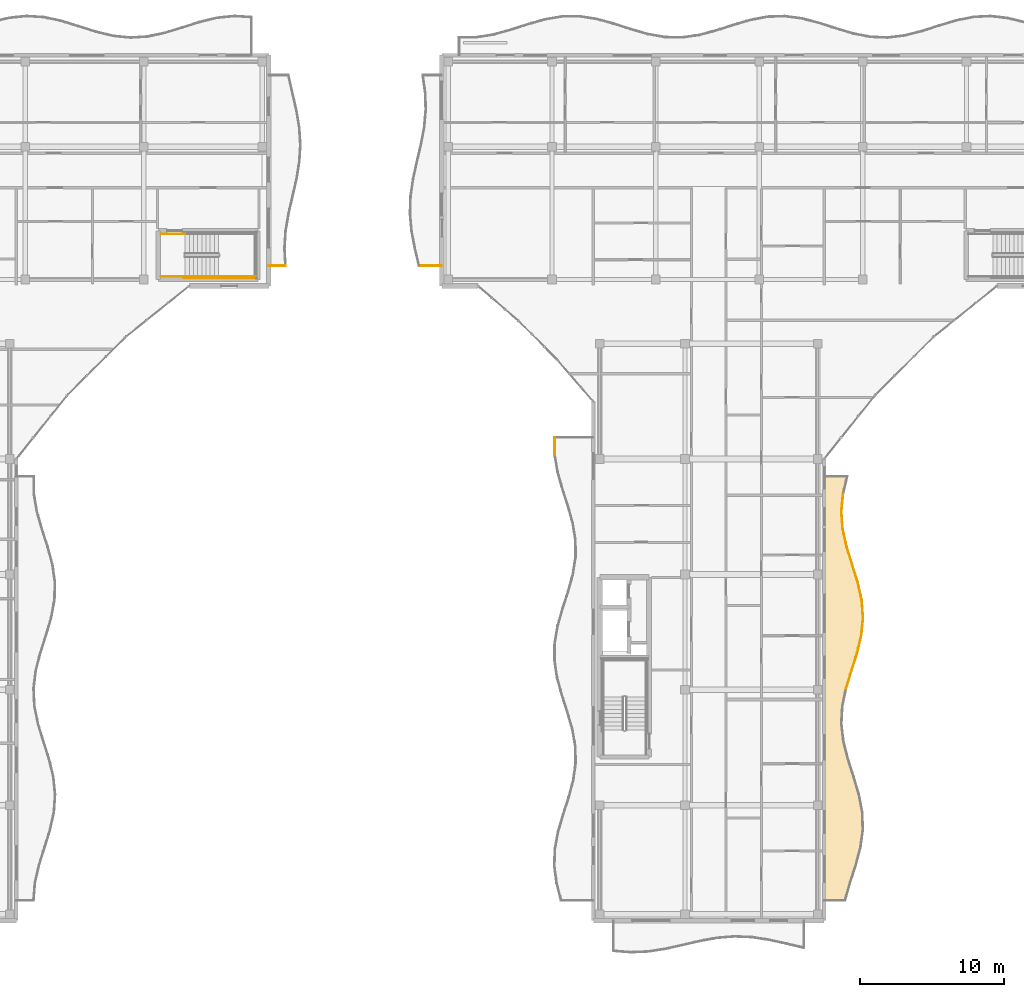
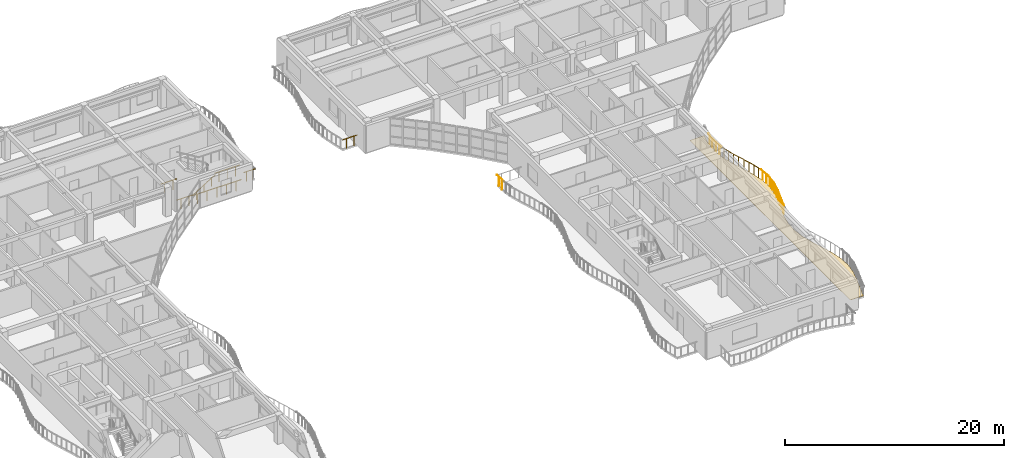
# One storey, part 61 of 72: 19 railings, 1 covering.
"""IFC4 building model written with IfcOpenShell, lengths in metres."""

from ifc_helpers import new_model, si_unit, direction, frame, origin, origin_2d, place, context, subcontext, project, spatial, polyline, circle, outline, extrude, material, layer, layer_set, type_object, element, save


model = new_model("IFC4")

# Units and contexts
model_context = context("Model", 3, precision=1e-05, world=origin(), true_north=direction((0.0, 1.0)))
body_context = subcontext(model_context, "Body", "Model", "MODEL_VIEW")
ifc_project = project(units=[si_unit("LENGTHUNIT", "METRE"), si_unit("AREAUNIT", "SQUARE_METRE"), si_unit("VOLUMEUNIT", "CUBIC_METRE"), si_unit("PLANEANGLEUNIT", "RADIAN"), si_unit("MASSUNIT", "GRAM", prefix="KILO")], contexts=[model_context])

# Site, building, storey
site_placement = place(None, origin())
site = spatial("IfcSite", under=ifc_project, at=site_placement, CompositionType="ELEMENT")
building_placement = place(site_placement, origin())
building = spatial("IfcBuilding", under=site, at=building_placement, Name="Keldmere Railside Commons", CompositionType="ELEMENT")
storey_placement = place(building_placement, frame((0.0, 0.0, 16.9599609375)))
storey = spatial("IfcBuildingStorey", under=building, at=storey_placement, Name="L05", CompositionType="ELEMENT", Elevation=16.9599609375)

# Railings
ifc_material_1 = material(Name="Steel F-24 (S235)", Category="steel")
railing_type_1 = type_object("IfcRailingType", Name="Balcony & Terrace Steel Balustrade 1100", PredefinedType="BALUSTRADE", material=ifc_material_1)
railing_1_placement = place(storey_placement, frame((81.5, 101.39990234375, 0.0)))
element("IfcRailing", 1, at=railing_1_placement, inside=storey, type_object=railing_type_1, Name="GR-1 GRD-L05-1396", PredefinedType="BALUSTRADE", context=body_context, shape_type="SweptSolid", body=[
    extrude(circle(Radius=0.02392578125, at=origin_2d()), frame((0.0, 0.0, 1.076171875), z_axis=(1.0, 0.0, 0.0), x_axis=(0.0, 1.0, 0.0)), (0.0, 0.0, 1.0), 1.170654296875),
    extrude(circle(Radius=0.02099609375, at=origin_2d()), frame((0.292724609375, 0.0, 0.0)), (0.0, 0.0, 1.0), 1.048095703125),
    extrude(circle(Radius=0.02099609375, at=origin_2d()), frame((0.8779296875, 0.0, 0.0)), (0.0, 0.0, 1.0), 1.048095703125),
])
railing_2_placement = place(storey_placement, frame((121.525146484375, 72.10009765625, 0.0)))
element("IfcRailing", 2, at=railing_2_placement, inside=storey, type_object=railing_type_1, Name="GR-1 GRD-L05-2418", PredefinedType="BALUSTRADE", context=body_context, shape_type="SweptSolid", body=[
    extrude(circle(Radius=0.02392578125, at=origin_2d()), frame((0.0, 0.0, 1.076171875), z_axis=(0.292049020088, 0.956403351032, 0.0), x_axis=(-0.956403351032, 0.292049020088, 0.0)), (0.0, 0.0, 1.0), 1.28076171875),
    extrude(circle(Radius=0.02099609375, at=origin_2d()), frame((0.093505859375, 0.30615234375, 0.0)), (0.0, 0.0, 1.0), 1.048095703125),
    extrude(circle(Radius=0.02099609375, at=origin_2d()), frame((0.280517578125, 0.918701171875, 0.0)), (0.0, 0.0, 1.0), 1.048095703125),
])
railing_3_placement = place(storey_placement, frame((121.899169921875, 73.324951171875, 0.0)))
element("IfcRailing", 3, at=railing_3_placement, inside=storey, type_object=railing_type_1, Name="GR-1 GRD-L05-2419", PredefinedType="BALUSTRADE", context=body_context, shape_type="SweptSolid", body=[
    extrude(circle(Radius=0.02392578125, at=origin_2d()), frame((0.0, 0.0, 1.076171875), z_axis=(0.302231230731, 0.953234642242, 0.0), x_axis=(-0.953234642242, 0.302231230731, 0.0)), (0.0, 0.0, 1.0), 1.28515625),
    extrude(circle(Radius=0.02099609375, at=origin_2d()), frame((0.09716796875, 0.30615234375, 0.0)), (0.0, 0.0, 1.0), 1.048095703125),
    extrude(circle(Radius=0.02099609375, at=origin_2d()), frame((0.291259765625, 0.9189453125, 0.0)), (0.0, 0.0, 1.0), 1.048095703125),
])
railing_4_placement = place(storey_placement, frame((122.28759765625, 74.550048828125, 0.0)))
element("IfcRailing", 4, at=railing_4_placement, inside=storey, type_object=railing_type_1, Name="GR-1 GRD-L05-2420", PredefinedType="BALUSTRADE", context=body_context, shape_type="SweptSolid", body=[
    extrude(circle(Radius=0.02392578125, at=origin_2d()), frame((0.0, 0.0, 1.076171875), z_axis=(0.233358291391, 0.972390820524, 0.0), x_axis=(-0.972390820524, 0.233358291391, 0.0)), (0.0, 0.0, 1.0), 1.259521484375),
    extrude(circle(Radius=0.02099609375, at=origin_2d()), frame((0.073486328125, 0.30615234375, 0.0)), (0.0, 0.0, 1.0), 1.048095703125),
    extrude(circle(Radius=0.02099609375, at=origin_2d()), frame((0.220458984375, 0.918701171875, 0.0)), (0.0, 0.0, 1.0), 1.048095703125),
])
railing_5_placement = place(storey_placement, frame((122.58154296875, 75.77490234375, 0.0)))
element("IfcRailing", 5, at=railing_5_placement, inside=storey, type_object=railing_type_1, Name="GR-1 GRD-L05-2421", PredefinedType="BALUSTRADE", context=body_context, shape_type="SweptSolid", body=[
    extrude(circle(Radius=0.02392578125, at=origin_2d()), frame((0.0, 0.0, 1.076171875), z_axis=(0.095810680476, 0.995399574797, 0.0), x_axis=(-0.995399574797, 0.095810680476, 0.0)), (0.0, 0.0, 1.0), 1.230712890625),
    extrude(circle(Radius=0.02099609375, at=origin_2d()), frame((0.029541015625, 0.30615234375, 0.0)), (0.0, 0.0, 1.0), 1.048095703125),
    extrude(circle(Radius=0.02099609375, at=origin_2d()), frame((0.08837890625, 0.9189453125, 0.0)), (0.0, 0.0, 1.0), 1.048095703125),
])
railing_6_placement = place(storey_placement, frame((122.699462890625, 77.0, 0.0)))
element("IfcRailing", 6, at=railing_6_placement, inside=storey, type_object=railing_type_1, Name="GR-1 GRD-L05-2422", PredefinedType="BALUSTRADE", context=body_context, shape_type="SweptSolid", body=[
    extrude(circle(Radius=0.02392578125, at=origin_2d()), frame((0.0, 0.0, 1.076171875), z_axis=(-0.07412789579, 0.997248742825, 0.0), x_axis=(-0.997248742825, -0.07412789579, 0.0)), (0.0, 0.0, 1.0), 1.228515625),
    extrude(circle(Radius=0.02099609375, at=origin_2d()), frame((-0.022705078125, 0.30615234375, 0.0)), (0.0, 0.0, 1.0), 1.048095703125),
    extrude(circle(Radius=0.02099609375, at=origin_2d()), frame((-0.068359375, 0.9189453125, 0.0)), (0.0, 0.0, 1.0), 1.048095703125),
])
railing_7_placement = place(storey_placement, frame((122.6083984375, 78.22509765625, 0.0)))
element("IfcRailing", 7, at=railing_7_placement, inside=storey, type_object=railing_type_1, Name="GR-1 GRD-L05-2423", PredefinedType="BALUSTRADE", context=body_context, shape_type="SweptSolid", body=[
    extrude(circle(Radius=0.02392578125, at=origin_2d()), frame((0.0, 0.0, 1.076171875), z_axis=(-0.218989219729, 0.975727278312, 0.0), x_axis=(-0.975727278312, -0.218989219729, 0.0)), (0.0, 0.0, 1.0), 1.25537109375),
    extrude(circle(Radius=0.02099609375, at=origin_2d()), frame((-0.06884765625, 0.30615234375, 0.0)), (0.0, 0.0, 1.0), 1.048095703125),
    extrude(circle(Radius=0.02099609375, at=origin_2d()), frame((-0.2060546875, 0.918701171875, 0.0)), (0.0, 0.0, 1.0), 1.048095703125),
])
railing_8_placement = place(storey_placement, frame((122.33349609375, 79.449951171875, 0.0)))
element("IfcRailing", 8, at=railing_8_placement, inside=storey, type_object=railing_type_1, Name="GR-1 GRD-L05-2424", PredefinedType="BALUSTRADE", context=body_context, shape_type="SweptSolid", body=[
    extrude(circle(Radius=0.02392578125, at=origin_2d()), frame((0.0, 0.0, 1.076171875), z_axis=(-0.297559927147, 0.954703142215, 0.0), x_axis=(-0.954703142215, -0.297559927147, 0.0)), (0.0, 0.0, 1.0), 1.283203125),
    extrude(circle(Radius=0.02099609375, at=origin_2d()), frame((-0.095458984375, 0.30615234375, 0.0)), (0.0, 0.0, 1.0), 1.048095703125),
    extrude(circle(Radius=0.02099609375, at=origin_2d()), frame((-0.286376953125, 0.9189453125, 0.0)), (0.0, 0.0, 1.0), 1.048095703125),
])
railing_9_placement = place(storey_placement, frame((121.95166015625, 80.675048828125, 0.0)))
element("IfcRailing", 9, at=railing_9_placement, inside=storey, type_object=railing_type_1, Name="GR-1 GRD-L05-2425", PredefinedType="BALUSTRADE", context=body_context, shape_type="SweptSolid", body=[
    extrude(circle(Radius=0.02392578125, at=origin_2d()), frame((0.0, 0.0, 1.076171875), z_axis=(-0.297960796619, 0.954578107688, 0.0), x_axis=(-0.954578107688, -0.297960796619, 0.0)), (0.0, 0.0, 1.0), 1.283203125),
    extrude(circle(Radius=0.02099609375, at=origin_2d()), frame((-0.095703125, 0.30615234375, 0.0)), (0.0, 0.0, 1.0), 1.048095703125),
    extrude(circle(Radius=0.02099609375, at=origin_2d()), frame((-0.28662109375, 0.918701171875, 0.0)), (0.0, 0.0, 1.0), 1.048095703125),
])
railing_10_placement = place(storey_placement, frame((121.5693359375, 81.89990234375, 0.0)))
element("IfcRailing", 10, at=railing_10_placement, inside=storey, type_object=railing_type_1, Name="GR-1 GRD-L05-2426", PredefinedType="BALUSTRADE", context=body_context, shape_type="SweptSolid", body=[
    extrude(circle(Radius=0.02392578125, at=origin_2d()), frame((0.0, 0.0, 1.076171875), z_axis=(-0.219873004749, 0.975528503829, 0.0), x_axis=(-0.975528503829, -0.219873004749, 0.0)), (0.0, 0.0, 1.0), 1.255859375),
    extrude(circle(Radius=0.02099609375, at=origin_2d()), frame((-0.069091796875, 0.30615234375, 0.0)), (0.0, 0.0, 1.0), 1.048095703125),
    extrude(circle(Radius=0.02099609375, at=origin_2d()), frame((-0.20703125, 0.9189453125, 0.0)), (0.0, 0.0, 1.0), 1.048095703125),
])
railing_11_placement = place(storey_placement, frame((121.293212890625, 83.125, 0.0)))
element("IfcRailing", 11, at=railing_11_placement, inside=storey, type_object=railing_type_1, Name="GR-1 GRD-L05-2427", PredefinedType="BALUSTRADE", context=body_context, shape_type="SweptSolid", body=[
    extrude(circle(Radius=0.02392578125, at=origin_2d()), frame((0.0, 0.0, 1.076171875), z_axis=(-0.0757087525, 0.997129973872, 0.0), x_axis=(-0.997129973872, -0.0757087525, 0.0)), (0.0, 0.0, 1.0), 1.228515625),
    extrude(circle(Radius=0.02099609375, at=origin_2d()), frame((-0.023193359375, 0.30615234375, 0.0)), (0.0, 0.0, 1.0), 1.048095703125),
    extrude(circle(Radius=0.02099609375, at=origin_2d()), frame((-0.06982421875, 0.9189453125, 0.0)), (0.0, 0.0, 1.0), 1.048095703125),
])
railing_12_placement = place(storey_placement, frame((121.2001953125, 84.35009765625, 0.0)))
element("IfcRailing", 12, at=railing_12_placement, inside=storey, type_object=railing_type_1, Name="GR-1 GRD-L05-2428", PredefinedType="BALUSTRADE", context=body_context, shape_type="SweptSolid", body=[
    extrude(circle(Radius=0.02392578125, at=origin_2d()), frame((0.0, 0.0, 1.076171875), z_axis=(0.094453248161, 0.995529298369, 0.0), x_axis=(-0.995529298369, 0.094453248161, 0.0)), (0.0, 0.0, 1.0), 1.23046875),
    extrude(circle(Radius=0.02099609375, at=origin_2d()), frame((0.029052734375, 0.30615234375, 0.0)), (0.0, 0.0, 1.0), 1.048095703125),
    extrude(circle(Radius=0.02099609375, at=origin_2d()), frame((0.087158203125, 0.918701171875, 0.0)), (0.0, 0.0, 1.0), 1.048095703125),
])
railing_13_placement = place(storey_placement, frame((101.329833984375, 88.31103515625, 0.0)))
element("IfcRailing", 13, at=railing_13_placement, inside=storey, type_object=railing_type_1, Name="GR-1 GRD-L05-2458", PredefinedType="BALUSTRADE", context=body_context, shape_type="SweptSolid", body=[
    extrude(circle(Radius=0.02392578125, at=origin_2d()), frame((0.0, 0.0, 1.076171875), z_axis=(-0.007597316669, 0.999971139973, 0.0), x_axis=(-0.999971139973, -0.007597316669, 0.0)), (0.0, 0.0, 1.0), 1.18896484375),
    extrude(circle(Radius=0.02099609375, at=origin_2d()), frame((-0.002197265625, 0.29736328125, 0.0)), (0.0, 0.0, 1.0), 1.048095703125),
    extrude(circle(Radius=0.02099609375, at=origin_2d()), frame((-0.0068359375, 0.8916015625, 0.0)), (0.0, 0.0, 1.0), 1.048095703125),
])
railing_14_placement = place(storey_placement, frame((93.5, 101.39990234375, 0.0)))
element("IfcRailing", 14, at=railing_14_placement, inside=storey, type_object=railing_type_1, Name="GR-1 GRD-L05-2473", PredefinedType="BALUSTRADE", context=body_context, shape_type="SweptSolid", body=[
    extrude(circle(Radius=0.02392578125, at=origin_2d()), frame((0.0, 0.0, 1.076171875), z_axis=(-1.0, 0.0, 0.0), x_axis=(0.0, -1.0, 0.0)), (0.0, 0.0, 1.0), 1.576904296875),
    extrude(circle(Radius=0.02099609375, at=origin_2d()), frame((-0.394287109375, 0.0, 0.0)), (0.0, 0.0, 1.0), 1.048095703125),
    extrude(circle(Radius=0.02099609375, at=origin_2d()), frame((-1.1826171875, 0.0, 0.0)), (0.0, 0.0, 1.0), 1.048095703125),
])
railing_type_2 = type_object("IfcRailingType", Name="Stair Well Steel Guardrail 1100", PredefinedType="BALUSTRADE", material=ifc_material_1)
railing_15_placement = place(storey_placement, frame((78.02001953125, 100.64990234375, 1.60009765625)))
element("IfcRailing", 15, at=railing_15_placement, inside=storey, type_object=railing_type_2, Name="L05 ST-C2 stair guard 3", PredefinedType="BALUSTRADE", context=body_context, shape_type="SweptSolid", body=[
    extrude(circle(Radius=0.02392578125, at=origin_2d()), frame((0.0, 0.0, 1.076171875), z_axis=(1.0, 0.0, 0.0), x_axis=(0.0, 1.0, 0.0)), (0.0, 0.0, 1.0), 2.580078125),
    extrude(circle(Radius=0.02099609375, at=origin_2d()), frame((0.429931640625, 0.0, 0.0)), (0.0, 0.0, 1.0), 1.048095703125),
    extrude(circle(Radius=0.02099609375, at=origin_2d()), frame((1.2900390625, 0.0, 0.0)), (0.0, 0.0, 1.0), 1.048095703125),
    extrude(circle(Radius=0.02099609375, at=origin_2d()), frame((2.150146484375, 0.0, 0.0)), (0.0, 0.0, 1.0), 1.048095703125),
])
for number, where, name in (
    (16, (74.0, 100.64990234375, 0.0), "L05 ST-C2 stair guard 8"),
    (17, (74.0, 103.60009765625, 0.0), "L05 ST-C2 stair guard 9"),
):
    element("IfcRailing", number, at=place(storey_placement, frame(where)), inside=storey, type_object=railing_type_2, Name=name, PredefinedType="BALUSTRADE", context=body_context, shape_type="SweptSolid", body=[
        extrude(circle(Radius=0.02392578125, at=origin_2d()), frame((0.0, 0.0, 1.076171875), z_axis=(1.0, 0.0, 0.0), x_axis=(0.0, 1.0, 0.0)), (0.0, 0.0, 1.0), 1.699951171875),
        extrude(circle(Radius=0.02099609375, at=origin_2d()), frame((0.425048828125, 0.0, 0.0)), (0.0, 0.0, 1.0), 1.048095703125),
        extrude(circle(Radius=0.02099609375, at=origin_2d()), frame((1.27490234375, 0.0, 0.0)), (0.0, 0.0, 1.0), 1.048095703125),
    ])
railing_16_placement = place(storey_placement, frame((75.60009765625, 100.550048828125, 0.0)))
element("IfcRailing", 18, at=railing_16_placement, inside=storey, type_object=railing_type_2, Name="L05 ST-C2 stair guard 10", PredefinedType="BALUSTRADE", context=body_context, shape_type="SweptSolid", body=[
    extrude(circle(Radius=0.02392578125, at=origin_2d()), frame((0.0, 0.0, 1.076171875), z_axis=(1.0, 0.0, 0.0), x_axis=(0.0, 1.0, 0.0)), (0.0, 0.0, 1.0), 5.099853515625),
    extrude(circle(Radius=0.02099609375, at=origin_2d()), frame((0.510009765625, 0.0, 0.0)), (0.0, 0.0, 1.0), 1.048095703125),
    extrude(circle(Radius=0.02099609375, at=origin_2d()), frame((1.530029296875, 0.0, 0.0)), (0.0, 0.0, 1.0), 1.048095703125),
    extrude(circle(Radius=0.02099609375, at=origin_2d()), frame((2.5498046875, 0.0, 0.0)), (0.0, 0.0, 1.0), 1.048095703125),
    extrude(circle(Radius=0.02099609375, at=origin_2d()), frame((3.56982421875, 0.0, 0.0)), (0.0, 0.0, 1.0), 1.048095703125),
    extrude(circle(Radius=0.02099609375, at=origin_2d()), frame((4.58984375, 0.0, 0.0)), (0.0, 0.0, 1.0), 1.048095703125),
])
railing_type_3 = type_object("IfcRailingType", Name="Wall-Mounted Tubular Steel Handrail 900", PredefinedType="HANDRAIL", material=ifc_material_1)
railing_17_placement = place(storey_placement, frame((75.699951171875, 100.64990234375, 0.177734375)))
element("IfcRailing", 19, at=railing_17_placement, inside=storey, type_object=railing_type_3, Name="L05 ST-C2 stair handrail 1", PredefinedType="HANDRAIL", context=body_context, shape_type="SweptSolid", body=[
    extrude(circle(Radius=0.02392578125, at=origin_2d()), frame((0.0, 0.0, 0.8759765625), z_axis=(0.852538067394, 0.0, 0.522665135287), x_axis=(0.0, 1.0, 0.0)), (0.0, 0.0, 1.0), 2.721435546875),
    extrude(circle(Radius=0.02099609375, at=origin_2d()), frame((0.38671875, 0.0, 0.237060546875)), (0.0, 0.0, 1.0), 0.847900390625),
    extrude(circle(Radius=0.02099609375, at=origin_2d()), frame((1.16015625, 0.0, 0.711181640625)), (0.0, 0.0, 1.0), 0.847900390625),
    extrude(circle(Radius=0.02099609375, at=origin_2d()), frame((1.933349609375, 0.0, 1.185302734375)), (0.0, 0.0, 1.0), 0.847900390625),
])

# Covering
ifc_material_2 = material(Name="White Precast Concrete C35/45", Category="concrete")
ifc_layer = layer(ifc_material_2, 0.044921875, Name="White Architectural Balcony Ribbon Cladding 45")
ifc_layer_set = layer_set([ifc_layer], Name="White Precast Concrete C35/45")
covering_type = type_object("IfcCoveringType", Name="White Architectural Balcony Ribbon Cladding 45", PredefinedType="FLOORING", material=ifc_layer_set)
covering_placement = place(storey_placement, origin())
element("IfcCovering", 20, at=covering_placement, inside=storey, type_object=covering_type, Name="CLG-WB B L05 CE White Balcony Ribbon", PredefinedType="FLOORING", context=body_context, shape_type="SweptSolid", body=[
    extrude(outline(polyline([(121.763671875, 58.635986328125), (121.763916015625, 58.63720703125), (122.15869140625, 59.861328125), (122.484130859375, 61.0830078125), (122.649658203125, 62.302001953125), (122.609619140625, 63.5205078125), (122.37548828125, 64.740478515625), (122.011474609375, 65.963134765625), (121.618896484375, 67.187744140625), (121.618408203125, 67.190185546875), (121.307373046875, 68.415283203125), (121.306396484375, 68.42041015625), (121.1640625, 69.6455078125), (121.163818359375, 69.648681640625), (121.163818359375, 69.652099609375), (121.2294921875, 70.877197265625), (121.229736328125, 70.880126953125), (121.230224609375, 70.88330078125), (121.48583984375, 72.108154296875), (121.48681640625, 72.11181640625), (121.86083984375, 73.336669921875), (121.861083984375, 73.337158203125), (122.248779296875, 74.560791015625), (122.5419921875, 75.781494140625), (122.659423828125, 77.00048828125), (122.568603515625, 78.218994140625), (122.294921875, 79.439697265625), (121.91357421875, 80.6630859375), (121.53125, 81.88818359375), (121.530517578125, 81.89111328125), (121.25439453125, 83.1162109375), (121.25341796875, 83.1220703125), (121.160400390625, 84.346923828125), (121.160400390625, 84.350341796875), (121.160400390625, 84.353759765625), (121.276611328125, 85.578857421875), (121.277587890625, 85.584228515625), (121.55859375, 86.760009765625), (120.0400390625, 86.760009765625), (120.0400390625, 57.43994140625), (121.41796875, 57.43994140625), (121.763671875, 58.635986328125)])), origin(), (0.0, 0.0, 1.0), 0.044921875),
])

save(model, "model.ifc")
